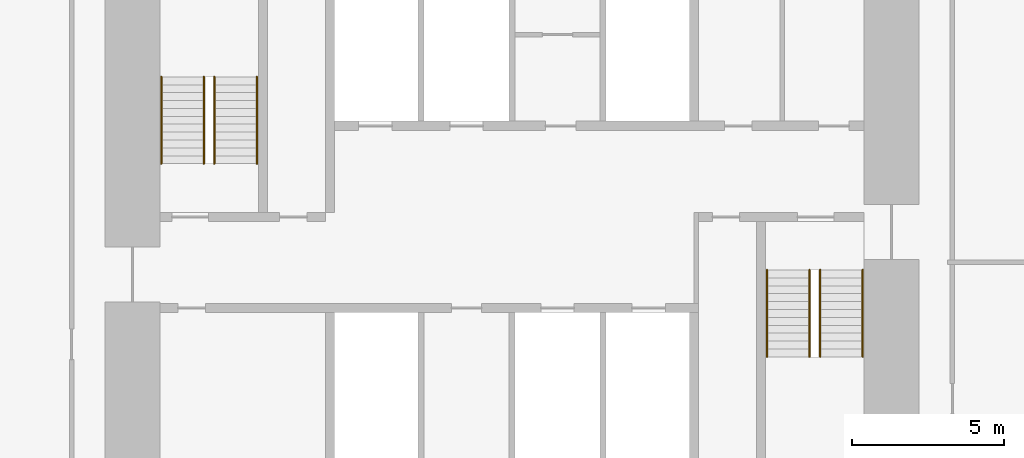
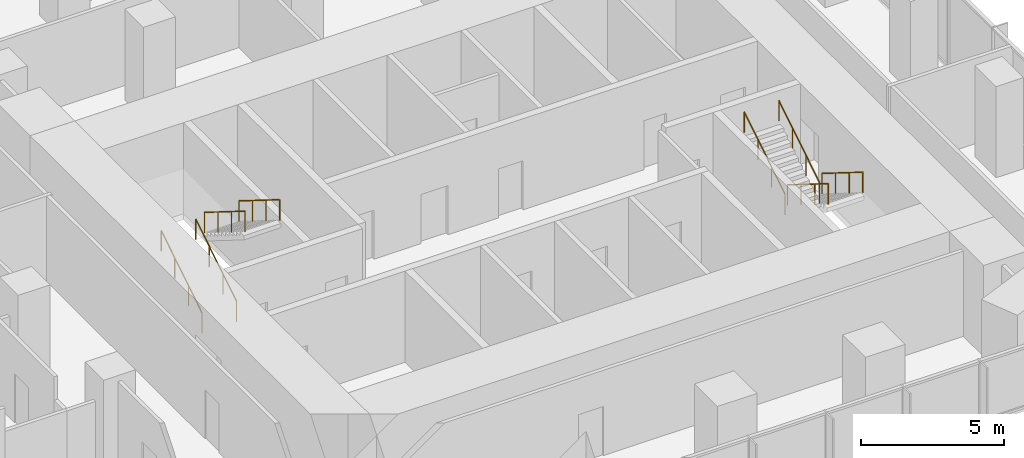
# One storey, part 11 of 11: 8 railings.
"""IFC4 building model written with IfcOpenShell, lengths in metres."""

from ifc_helpers import new_model, si_unit, direction, frame, origin, origin_2d, place, context, subcontext, project, spatial, circle, extrude, material, type_object, element, save


model = new_model("IFC4")

# Units and contexts
model_context = context("Model", 3, precision=1e-05, world=origin(), true_north=direction((0.0, 1.0)))
body_context = subcontext(model_context, "Body", "Model", "MODEL_VIEW")
ifc_project = project(units=[si_unit("LENGTHUNIT", "METRE"), si_unit("AREAUNIT", "SQUARE_METRE"), si_unit("VOLUMEUNIT", "CUBIC_METRE"), si_unit("PLANEANGLEUNIT", "RADIAN"), si_unit("MASSUNIT", "GRAM", prefix="KILO")], contexts=[model_context])

# Site, building, storey
site_placement = place(None, origin())
site = spatial("IfcSite", under=ifc_project, at=site_placement, CompositionType="ELEMENT")
building_placement = place(site_placement, origin())
building = spatial("IfcBuilding", under=site, at=building_placement, Name="Highveld Stack Headquarters", CompositionType="ELEMENT")
storey_placement = place(building_placement, frame((0.0, 0.0, 208.39990234375)))
storey = spatial("IfcBuildingStorey", under=building, at=storey_placement, Name="L51", CompositionType="ELEMENT", Elevation=208.39990234375)

# Railings
ifc_material = material(Name="Stainless steel handrail", Category="steel")
railing_type = type_object("IfcRailingType", Name="STAIR HANDRAIL HR1 900", PredefinedType="HANDRAIL", material=ifc_material)
for number, where, name in (
    (1, (-5.550048828125, 4.75, 0.16259765625), "Handrail S1 L51 flight 1"),
    (2, (-4.14990234375, 4.75, 0.16259765625), "Handrail S1 L51 flight 1"),
):
    element("IfcRailing", number, at=place(storey_placement, frame(where)), inside=storey, type_object=railing_type, Name=name, PredefinedType="HANDRAIL", context=body_context, shape_type="SweptSolid", body=[
        extrude(circle(Radius=0.02392578125, at=origin_2d()), frame((0.0, 0.0, 0.8759765625), z_axis=(0.0, 0.847994237388, 0.530005446535), x_axis=(-1.0, 0.0, 0.0)), (0.0, 0.0, 1.0), 3.372802734375),
        extrude(circle(Radius=0.02099609375, at=origin_2d()), origin(), (0.0, 0.0, 1.0), 0.851806640625),
        extrude(circle(Radius=0.02099609375, at=origin_2d()), frame((0.0, 0.953369140625, 0.595947265625)), (0.0, 0.0, 1.0), 0.851806640625),
        extrude(circle(Radius=0.02099609375, at=origin_2d()), frame((0.0, 1.90673828125, 1.191650390625)), (0.0, 0.0, 1.0), 0.851806640625),
        extrude(circle(Radius=0.02099609375, at=origin_2d()), frame((0.0, 2.860107421875, 1.78759765625)), (0.0, 0.0, 1.0), 0.851806640625),
    ])
for number, where, name in (
    (3, (-3.800048828125, 7.610107421875, 2.112548828125), "Handrail S1 L51 flight 2"),
    (4, (-2.39990234375, 7.610107421875, 2.112548828125), "Handrail S1 L51 flight 2"),
    (5, (16.14990234375, 1.25, 0.16259765625), "Handrail S2 L51 flight 1"),
    (6, (17.550048828125, 1.25, 0.16259765625), "Handrail S2 L51 flight 1"),
):
    element("IfcRailing", number, at=place(storey_placement, frame(where)), inside=storey, type_object=railing_type, Name=name, PredefinedType="HANDRAIL", context=body_context, shape_type="SweptSolid", body=[
        extrude(circle(Radius=0.02392578125, at=origin_2d()), frame((0.0, 0.0, 0.8759765625), z_axis=(0.0, -0.847994237388, 0.530005446535), x_axis=(1.0, 0.0, 0.0)), (0.0, 0.0, 1.0), 3.372802734375),
        extrude(circle(Radius=0.02099609375, at=origin_2d()), origin(), (0.0, 0.0, 1.0), 0.851806640625),
        extrude(circle(Radius=0.02099609375, at=origin_2d()), frame((0.0, -0.953369140625, 0.595947265625)), (0.0, 0.0, 1.0), 0.851806640625),
        extrude(circle(Radius=0.02099609375, at=origin_2d()), frame((0.0, -1.90673828125, 1.191650390625)), (0.0, 0.0, 1.0), 0.851806640625),
        extrude(circle(Radius=0.02099609375, at=origin_2d()), frame((0.0, -2.860107421875, 1.78759765625)), (0.0, 0.0, 1.0), 0.851806640625),
    ])
for number, where, name in (
    (7, (14.39990234375, -1.610107421875, 2.112548828125), "Handrail S2 L51 flight 2"),
    (8, (15.800048828125, -1.610107421875, 2.112548828125), "Handrail S2 L51 flight 2"),
):
    element("IfcRailing", number, at=place(storey_placement, frame(where)), inside=storey, type_object=railing_type, Name=name, PredefinedType="HANDRAIL", context=body_context, shape_type="SweptSolid", body=[
        extrude(circle(Radius=0.02392578125, at=origin_2d()), frame((0.0, 0.0, 0.8759765625), z_axis=(0.0, 0.847994237388, 0.530005446535), x_axis=(-1.0, 0.0, 0.0)), (0.0, 0.0, 1.0), 3.372802734375),
        extrude(circle(Radius=0.02099609375, at=origin_2d()), origin(), (0.0, 0.0, 1.0), 0.851806640625),
        extrude(circle(Radius=0.02099609375, at=origin_2d()), frame((0.0, 0.953369140625, 0.595947265625)), (0.0, 0.0, 1.0), 0.851806640625),
        extrude(circle(Radius=0.02099609375, at=origin_2d()), frame((0.0, 1.90673828125, 1.191650390625)), (0.0, 0.0, 1.0), 0.851806640625),
        extrude(circle(Radius=0.02099609375, at=origin_2d()), frame((0.0, 2.860107421875, 1.78759765625)), (0.0, 0.0, 1.0), 0.851806640625),
    ])

save(model, "model.ifc")
